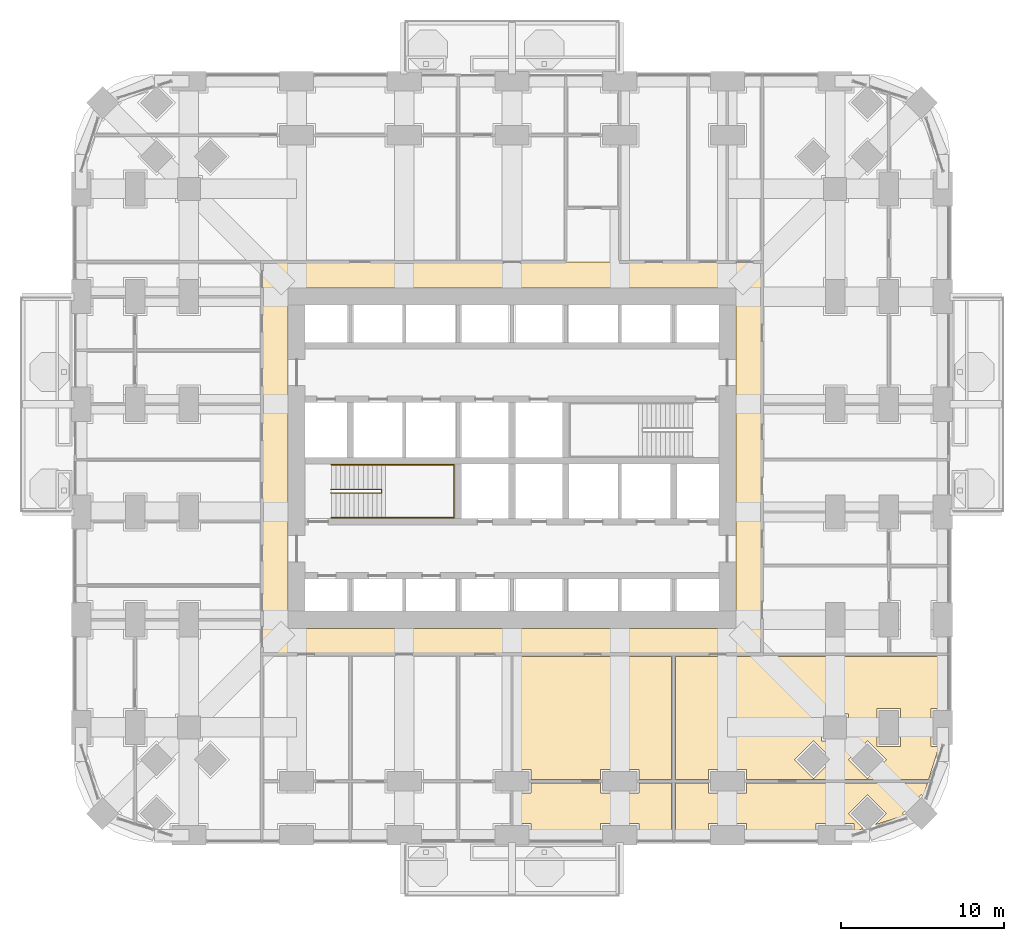
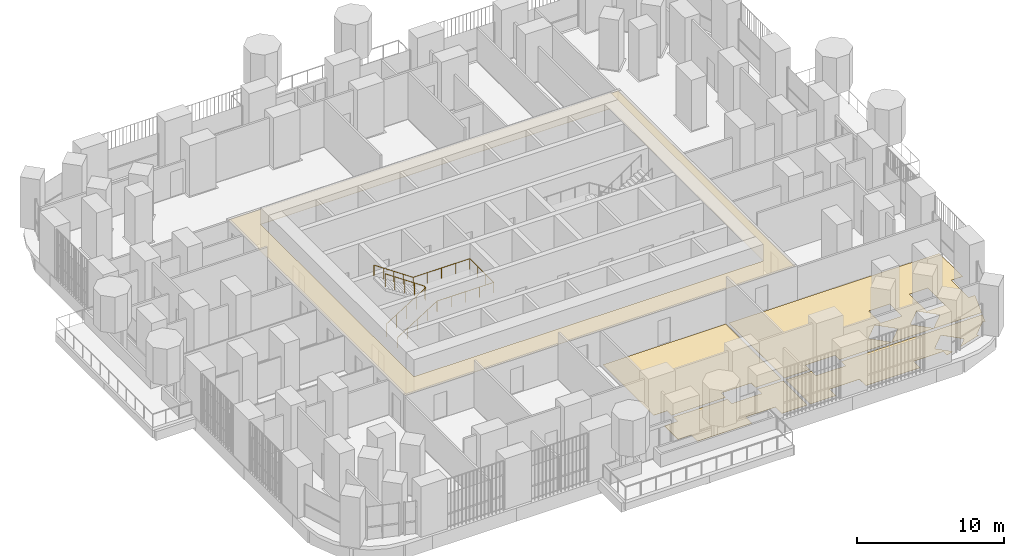
# One storey, part 23 of 26: 5 coverings, 2 railings.
"""IFC4 building model written with IfcOpenShell, lengths in metres."""

from ifc_helpers import new_model, si_unit, direction, frame, origin, place, context, subcontext, project, spatial, polyline, outline, extrude, material, layer, layer_set, type_object, element, save


model = new_model("IFC4")

# Units and contexts
model_context = context("Model", 3, precision=1e-05, world=origin(), true_north=direction((0.0, 1.0)))
body_context = subcontext(model_context, "Body", "Model", "MODEL_VIEW")
ifc_project = project(units=[si_unit("LENGTHUNIT", "METRE"), si_unit("AREAUNIT", "SQUARE_METRE"), si_unit("VOLUMEUNIT", "CUBIC_METRE"), si_unit("PLANEANGLEUNIT", "RADIAN"), si_unit("MASSUNIT", "GRAM", prefix="KILO")], contexts=[model_context])

# Site, building, storey
site_placement = place(None, origin())
site = spatial("IfcSite", under=ifc_project, at=site_placement, CompositionType="ELEMENT")
building_placement = place(site_placement, origin())
building = spatial("IfcBuilding", under=site, at=building_placement, Name="Cobogo Forest Laboratory Tower", CompositionType="ELEMENT")
storey_placement = place(building_placement, frame((0.0, 0.0, 33.89990234375)))
storey = spatial("IfcBuildingStorey", under=building, at=storey_placement, Name="L07", CompositionType="ELEMENT", Elevation=33.89990234375)

# Coverings
ifc_material_1 = material(Name="Mineral fibre ceiling tile", Category="ceiling")
ifc_layer_1 = layer(ifc_material_1, 0.02001953125)
ifc_layer_set_1 = layer_set([ifc_layer_1], Name="CL1 suspended ceiling")
covering_type_1 = type_object("IfcCoveringType", Name="CL1 suspended ceiling", PredefinedType="CEILING", material=ifc_layer_set_1)
covering_1_placement = place(storey_placement, frame((0.0, 0.0, 2.800048828125)))
element("IfcCovering", 1, at=covering_1_placement, inside=storey, type_object=covering_type_1, Name="Corridor ceiling L07", PredefinedType="CEILING", context=body_context, shape_type="SweptSolid", body=[
    extrude(outline(polyline([(11.074951171875, 11.074951171875), (11.074951171875, 35.125), (41.72509765625, 35.125), (41.72509765625, 11.074951171875), (11.074951171875, 11.074951171875)]), holes=[polyline([(40.125, 33.52490234375), (12.675048828125, 33.52490234375), (12.675048828125, 12.675048828125), (40.125, 12.675048828125), (40.125, 33.52490234375)])]), origin(), (0.0, 0.0, 1.0), 0.02001953125),
])
ifc_material_2 = material(Name="Carpet tile on raised access floor", Category="flooring")
ifc_layer_2 = layer(ifc_material_2, 0.008056640625)
ifc_layer_set_2 = layer_set([ifc_layer_2], Name="CT1 carpet tile floor 8")
covering_type_2 = type_object("IfcCoveringType", Name="CT1 carpet tile floor 8", PredefinedType="FLOORING", material=ifc_layer_set_2)
covering_2_placement = place(storey_placement, origin())
element("IfcCovering", 2, at=covering_2_placement, inside=storey, type_object=covering_type_2, Name="Carpet floor L07-08", PredefinedType="FLOORING", context=body_context, shape_type="SweptSolid", body=[
    extrude(outline(polyline([(31.830078125, 3.179931640625), (31.830078125, 2.580078125), (34.169921875, 2.580078125), (34.169921875, 3.179931640625), (36.179931640625, 3.179931640625), (36.179931640625, -0.14990234375), (34.169921875, -0.14990234375), (34.169921875, 0.719970703125), (31.830078125, 0.719970703125), (31.830078125, -0.14990234375), (27.570068359375, -0.14990234375), (27.570068359375, 0.719970703125), (26.52001953125, 0.719970703125), (26.52001953125, 2.580078125), (27.570068359375, 2.580078125), (27.570068359375, 3.179931640625), (31.830078125, 3.179931640625)])), origin(), (0.0, 0.0, 1.0), 0.008056640625),
])
covering_3_placement = place(storey_placement, origin())
element("IfcCovering", 3, at=covering_3_placement, inside=storey, type_object=covering_type_2, Name="Carpet floor L07-10", PredefinedType="FLOORING", context=body_context, shape_type="SweptSolid", body=[
    extrude(outline(polyline([(38.429931640625, 3.179931640625), (38.429931640625, 2.580078125), (40.77001953125, 2.580078125), (40.77001953125, 3.179931640625), (51.8603515625, 3.179931640625), (51.600830078125, 2.358642578125), (51.48193359375, 2.477783203125), (50.322265625, 1.318115234375), (50.441162109375, 1.19921875), (48.660400390625, 0.63671875), (49.341552734375, 1.318115234375), (48.181884765625, 2.477783203125), (47.022216796875, 1.318115234375), (47.933349609375, 0.406982421875), (47.3701171875, 0.229248046875), (47.3701171875, 0.719970703125), (45.030029296875, 0.719970703125), (45.030029296875, -0.14990234375), (40.77001953125, -0.14990234375), (40.77001953125, 0.719970703125), (38.429931640625, 0.719970703125), (38.429931640625, -0.14990234375), (36.419921875, -0.14990234375), (36.419921875, 3.179931640625), (38.429931640625, 3.179931640625)])), origin(), (0.0, 0.0, 1.0), 0.008056640625),
])

# Railings
ifc_material_3 = material(Name="Steel balustrade", Category="steel")
railing_type_1 = type_object("IfcRailingType", Name="GR stair guard 1100", PredefinedType="GUARDRAIL", material=ifc_material_3)
railing_1_placement = place(storey_placement, frame((15.324951171875, 20.969970703125, 0.175048828125)))
element("IfcRailing", 4, at=railing_1_placement, inside=storey, type_object=railing_type_1, Name="Stair guard ST1 L07", PredefinedType="GUARDRAIL", context=body_context, shape_type="SweptSolid", body=[
    extrude(outline(polyline([(0.022216796875, 0.00927734375), (0.00927734375, 0.022216796875), (-0.00927734375, 0.022216796875), (-0.022216796875, 0.00927734375), (-0.022216796875, -0.00927734375), (-0.00927734375, -0.022216796875), (0.00927734375, -0.022216796875), (0.022216796875, -0.00927734375), (0.022216796875, 0.00927734375)])), frame((0.0, 0.0, 1.077880859375), z_axis=(0.847998304005, 0.0, 0.529998940003), x_axis=(0.0, 1.0, 0.0)), (0.0, 0.0, 1.0), 3.632080078125),
    extrude(outline(polyline([(0.022216796875, 0.00927734375), (0.00927734375, 0.022216796875), (-0.00927734375, 0.022216796875), (-0.022216796875, 0.00927734375), (-0.022216796875, -0.00927734375), (-0.00927734375, -0.022216796875), (0.00927734375, -0.022216796875), (0.022216796875, -0.00927734375), (0.022216796875, 0.00927734375)])), frame((3.080078125, 0.0, 3.0029296875), z_axis=(0.0, 1.0, 0.0), x_axis=(-1.0, 0.0, 0.0)), (0.0, 0.0, 1.0), 0.2099609375),
    extrude(outline(polyline([(0.022216796875, 0.00927734375), (0.00927734375, 0.022216796875), (-0.00927734375, 0.022216796875), (-0.022216796875, 0.00927734375), (-0.022216796875, -0.00927734375), (-0.00927734375, -0.022216796875), (0.00927734375, -0.022216796875), (0.022216796875, -0.00927734375), (0.022216796875, 0.00927734375)])), frame((3.080078125, 0.2099609375, 3.0029296875), z_axis=(-0.826221800596, 0.0, 0.563344953133), x_axis=(0.0, -1.0, 0.0)), (0.0, 0.0, 1.0), 3.72802734375),
    extrude(outline(polyline([(0.019287109375, 0.008056640625), (0.008056640625, 0.019287109375), (-0.008056640625, 0.019287109375), (-0.019287109375, 0.008056640625), (-0.019287109375, -0.008056640625), (-0.008056640625, -0.019287109375), (0.008056640625, -0.019287109375), (0.019287109375, -0.008056640625), (0.019287109375, 0.008056640625)])), origin(), (0.0, 0.0, 1.0), 1.077880859375),
    extrude(outline(polyline([(0.019287109375, 0.008056640625), (0.008056640625, 0.019287109375), (-0.008056640625, 0.019287109375), (-0.019287109375, 0.008056640625), (-0.019287109375, -0.008056640625), (-0.008056640625, -0.019287109375), (0.008056640625, -0.019287109375), (0.019287109375, -0.008056640625), (0.019287109375, 0.008056640625)])), frame((0.77001953125, 0.0, 0.481201171875)), (0.0, 0.0, 1.0), 1.077880859375),
    extrude(outline(polyline([(0.019287109375, 0.008056640625), (0.008056640625, 0.019287109375), (-0.008056640625, 0.019287109375), (-0.019287109375, 0.008056640625), (-0.019287109375, -0.008056640625), (-0.008056640625, -0.019287109375), (0.008056640625, -0.019287109375), (0.019287109375, -0.008056640625), (0.019287109375, 0.008056640625)])), frame((1.5400390625, 0.0, 0.96240234375)), (0.0, 0.0, 1.0), 1.077880859375),
    extrude(outline(polyline([(0.019287109375, 0.008056640625), (0.008056640625, 0.019287109375), (-0.008056640625, 0.019287109375), (-0.019287109375, 0.008056640625), (-0.019287109375, -0.008056640625), (-0.008056640625, -0.019287109375), (0.008056640625, -0.019287109375), (0.019287109375, -0.008056640625), (0.019287109375, 0.008056640625)])), frame((2.31005859375, 0.0, 1.44384765625)), (0.0, 0.0, 1.0), 1.077880859375),
    extrude(outline(polyline([(0.019287109375, 0.008056640625), (0.008056640625, 0.019287109375), (-0.008056640625, 0.019287109375), (-0.019287109375, 0.008056640625), (-0.019287109375, -0.008056640625), (-0.008056640625, -0.019287109375), (0.008056640625, -0.019287109375), (0.019287109375, -0.008056640625), (0.019287109375, 0.008056640625)])), frame((3.080078125, 0.0, 1.925048828125)), (0.0, 0.0, 1.0), 1.077880859375),
    extrude(outline(polyline([(0.019287109375, 0.008056640625), (0.008056640625, 0.019287109375), (-0.008056640625, 0.019287109375), (-0.019287109375, 0.008056640625), (-0.019287109375, -0.008056640625), (-0.008056640625, -0.019287109375), (0.008056640625, -0.019287109375), (0.019287109375, -0.008056640625), (0.019287109375, 0.008056640625)])), frame((3.080078125, 0.2099609375, 1.925048828125)), (0.0, 0.0, 1.0), 1.077880859375),
    extrude(outline(polyline([(0.019287109375, 0.008056640625), (0.008056640625, 0.019287109375), (-0.008056640625, 0.019287109375), (-0.019287109375, 0.008056640625), (-0.019287109375, -0.008056640625), (-0.008056640625, -0.019287109375), (0.008056640625, -0.019287109375), (0.019287109375, -0.008056640625), (0.019287109375, 0.008056640625)])), frame((2.31005859375, 0.2099609375, 2.4501953125)), (0.0, 0.0, 1.0), 1.077880859375),
    extrude(outline(polyline([(0.019287109375, 0.008056640625), (0.008056640625, 0.019287109375), (-0.008056640625, 0.019287109375), (-0.019287109375, 0.008056640625), (-0.019287109375, -0.008056640625), (-0.008056640625, -0.019287109375), (0.008056640625, -0.019287109375), (0.019287109375, -0.008056640625), (0.019287109375, 0.008056640625)])), frame((1.5400390625, 0.2099609375, 2.97509765625)), (0.0, 0.0, 1.0), 1.077880859375),
    extrude(outline(polyline([(0.019287109375, 0.008056640625), (0.008056640625, 0.019287109375), (-0.008056640625, 0.019287109375), (-0.019287109375, 0.008056640625), (-0.019287109375, -0.008056640625), (-0.008056640625, -0.019287109375), (0.008056640625, -0.019287109375), (0.019287109375, -0.008056640625), (0.019287109375, 0.008056640625)])), frame((0.77001953125, 0.2099609375, 3.5)), (0.0, 0.0, 1.0), 1.077880859375),
    extrude(outline(polyline([(0.019287109375, 0.008056640625), (0.008056640625, 0.019287109375), (-0.008056640625, 0.019287109375), (-0.019287109375, 0.008056640625), (-0.019287109375, -0.008056640625), (-0.008056640625, -0.019287109375), (0.008056640625, -0.019287109375), (0.019287109375, -0.008056640625), (0.019287109375, 0.008056640625)])), frame((0.0, 0.2099609375, 4.025146484375)), (0.0, 0.0, 1.0), 1.077880859375),
])
ifc_material_4 = material(Name="Stainless steel handrail", Category="steel")
railing_type_2 = type_object("IfcRailingType", Name="HR handrail 900", PredefinedType="HANDRAIL", material=ifc_material_4)
railing_2_placement = place(storey_placement, frame((15.324951171875, 19.449951171875, 0.175048828125)))
element("IfcRailing", 5, at=railing_2_placement, inside=storey, type_object=railing_type_2, Name="Stair handrail ST1 L07", PredefinedType="HANDRAIL", context=body_context, shape_type="SweptSolid", body=[
    extrude(outline(polyline([(0.022216796875, 0.00927734375), (0.00927734375, 0.022216796875), (-0.00927734375, 0.022216796875), (-0.022216796875, 0.00927734375), (-0.022216796875, -0.00927734375), (-0.00927734375, -0.022216796875), (0.00927734375, -0.022216796875), (0.022216796875, -0.00927734375), (0.022216796875, 0.00927734375)])), frame((0.0, 0.0, 0.877685546875), z_axis=(0.847998304005, 0.0, 0.529998940003), x_axis=(0.0, 1.0, 0.0)), (0.0, 0.0, 1.0), 3.632080078125),
    extrude(outline(polyline([(0.022216796875, 0.00927734375), (0.00927734375, 0.022216796875), (-0.00927734375, 0.022216796875), (-0.022216796875, 0.00927734375), (-0.022216796875, -0.00927734375), (-0.00927734375, -0.022216796875), (0.00927734375, -0.022216796875), (0.022216796875, -0.00927734375), (0.022216796875, 0.00927734375)])), frame((3.080078125, 0.0, 2.802734375), z_axis=(1.0, 0.0, 0.0), x_axis=(0.0, 1.0, 0.0)), (0.0, 0.0, 1.0), 4.445068359375),
    extrude(outline(polyline([(0.022216796875, 0.00927734375), (0.00927734375, 0.022216796875), (-0.00927734375, 0.022216796875), (-0.022216796875, 0.00927734375), (-0.022216796875, -0.00927734375), (-0.00927734375, -0.022216796875), (0.00927734375, -0.022216796875), (0.022216796875, -0.00927734375), (0.022216796875, 0.00927734375)])), frame((7.525146484375, 0.0, 2.802734375), z_axis=(0.0, 1.0, 0.0), x_axis=(-1.0, 0.0, 0.0)), (0.0, 0.0, 1.0), 3.25),
    extrude(outline(polyline([(0.022216796875, 0.00927734375), (0.00927734375, 0.022216796875), (-0.00927734375, 0.022216796875), (-0.022216796875, 0.00927734375), (-0.022216796875, -0.00927734375), (-0.00927734375, -0.022216796875), (0.00927734375, -0.022216796875), (0.022216796875, -0.00927734375), (0.022216796875, 0.00927734375)])), frame((7.525146484375, 3.25, 2.802734375), z_axis=(-1.0, 0.0, 0.0), x_axis=(0.0, -1.0, 0.0)), (0.0, 0.0, 1.0), 4.445068359375),
    extrude(outline(polyline([(0.022216796875, 0.00927734375), (0.00927734375, 0.022216796875), (-0.00927734375, 0.022216796875), (-0.022216796875, 0.00927734375), (-0.022216796875, -0.00927734375), (-0.00927734375, -0.022216796875), (0.00927734375, -0.022216796875), (0.022216796875, -0.00927734375), (0.022216796875, 0.00927734375)])), frame((3.080078125, 3.25, 2.802734375), z_axis=(-0.826221800596, 0.0, 0.563344953133), x_axis=(0.0, -1.0, 0.0)), (0.0, 0.0, 1.0), 3.72802734375),
    extrude(outline(polyline([(0.019287109375, 0.008056640625), (0.008056640625, 0.019287109375), (-0.008056640625, 0.019287109375), (-0.019287109375, 0.008056640625), (-0.019287109375, -0.008056640625), (-0.008056640625, -0.019287109375), (0.008056640625, -0.019287109375), (0.019287109375, -0.008056640625), (0.019287109375, 0.008056640625)])), origin(), (0.0, 0.0, 1.0), 0.877685546875),
    extrude(outline(polyline([(0.019287109375, 0.008056640625), (0.008056640625, 0.019287109375), (-0.008056640625, 0.019287109375), (-0.019287109375, 0.008056640625), (-0.019287109375, -0.008056640625), (-0.008056640625, -0.019287109375), (0.008056640625, -0.019287109375), (0.019287109375, -0.008056640625), (0.019287109375, 0.008056640625)])), frame((0.77001953125, 0.0, 0.481201171875)), (0.0, 0.0, 1.0), 0.877685546875),
    extrude(outline(polyline([(0.019287109375, 0.008056640625), (0.008056640625, 0.019287109375), (-0.008056640625, 0.019287109375), (-0.019287109375, 0.008056640625), (-0.019287109375, -0.008056640625), (-0.008056640625, -0.019287109375), (0.008056640625, -0.019287109375), (0.019287109375, -0.008056640625), (0.019287109375, 0.008056640625)])), frame((1.5400390625, 0.0, 0.96240234375)), (0.0, 0.0, 1.0), 0.877685546875),
    extrude(outline(polyline([(0.019287109375, 0.008056640625), (0.008056640625, 0.019287109375), (-0.008056640625, 0.019287109375), (-0.019287109375, 0.008056640625), (-0.019287109375, -0.008056640625), (-0.008056640625, -0.019287109375), (0.008056640625, -0.019287109375), (0.019287109375, -0.008056640625), (0.019287109375, 0.008056640625)])), frame((2.31005859375, 0.0, 1.44384765625)), (0.0, 0.0, 1.0), 0.877685546875),
    extrude(outline(polyline([(0.019287109375, 0.008056640625), (0.008056640625, 0.019287109375), (-0.008056640625, 0.019287109375), (-0.019287109375, 0.008056640625), (-0.019287109375, -0.008056640625), (-0.008056640625, -0.019287109375), (0.008056640625, -0.019287109375), (0.019287109375, -0.008056640625), (0.019287109375, 0.008056640625)])), frame((3.080078125, 0.0, 1.925048828125)), (0.0, 0.0, 1.0), 0.877685546875),
    extrude(outline(polyline([(0.019287109375, 0.008056640625), (0.008056640625, 0.019287109375), (-0.008056640625, 0.019287109375), (-0.019287109375, 0.008056640625), (-0.019287109375, -0.008056640625), (-0.008056640625, -0.019287109375), (0.008056640625, -0.019287109375), (0.019287109375, -0.008056640625), (0.019287109375, 0.008056640625)])), frame((4.19140625, 0.0, 1.925048828125)), (0.0, 0.0, 1.0), 0.877685546875),
    extrude(outline(polyline([(0.019287109375, 0.008056640625), (0.008056640625, 0.019287109375), (-0.008056640625, 0.019287109375), (-0.019287109375, 0.008056640625), (-0.019287109375, -0.008056640625), (-0.008056640625, -0.019287109375), (0.008056640625, -0.019287109375), (0.019287109375, -0.008056640625), (0.019287109375, 0.008056640625)])), frame((5.302734375, 0.0, 1.925048828125)), (0.0, 0.0, 1.0), 0.877685546875),
    extrude(outline(polyline([(0.019287109375, 0.008056640625), (0.008056640625, 0.019287109375), (-0.008056640625, 0.019287109375), (-0.019287109375, 0.008056640625), (-0.019287109375, -0.008056640625), (-0.008056640625, -0.019287109375), (0.008056640625, -0.019287109375), (0.019287109375, -0.008056640625), (0.019287109375, 0.008056640625)])), frame((6.413818359375, 0.0, 1.925048828125)), (0.0, 0.0, 1.0), 0.877685546875),
    extrude(outline(polyline([(0.019287109375, 0.008056640625), (0.008056640625, 0.019287109375), (-0.008056640625, 0.019287109375), (-0.019287109375, 0.008056640625), (-0.019287109375, -0.008056640625), (-0.008056640625, -0.019287109375), (0.008056640625, -0.019287109375), (0.019287109375, -0.008056640625), (0.019287109375, 0.008056640625)])), frame((7.525146484375, 0.0, 1.925048828125)), (0.0, 0.0, 1.0), 0.877685546875),
    extrude(outline(polyline([(0.019287109375, 0.008056640625), (0.008056640625, 0.019287109375), (-0.008056640625, 0.019287109375), (-0.019287109375, 0.008056640625), (-0.019287109375, -0.008056640625), (-0.008056640625, -0.019287109375), (0.008056640625, -0.019287109375), (0.019287109375, -0.008056640625), (0.019287109375, 0.008056640625)])), frame((7.525146484375, 1.083251953125, 1.925048828125)), (0.0, 0.0, 1.0), 0.877685546875),
    extrude(outline(polyline([(0.019287109375, 0.008056640625), (0.008056640625, 0.019287109375), (-0.008056640625, 0.019287109375), (-0.019287109375, 0.008056640625), (-0.019287109375, -0.008056640625), (-0.008056640625, -0.019287109375), (0.008056640625, -0.019287109375), (0.019287109375, -0.008056640625), (0.019287109375, 0.008056640625)])), frame((7.525146484375, 2.166748046875, 1.925048828125)), (0.0, 0.0, 1.0), 0.877685546875),
    extrude(outline(polyline([(0.019287109375, 0.008056640625), (0.008056640625, 0.019287109375), (-0.008056640625, 0.019287109375), (-0.019287109375, 0.008056640625), (-0.019287109375, -0.008056640625), (-0.008056640625, -0.019287109375), (0.008056640625, -0.019287109375), (0.019287109375, -0.008056640625), (0.019287109375, 0.008056640625)])), frame((7.525146484375, 3.25, 1.925048828125)), (0.0, 0.0, 1.0), 0.877685546875),
    extrude(outline(polyline([(0.019287109375, 0.008056640625), (0.008056640625, 0.019287109375), (-0.008056640625, 0.019287109375), (-0.019287109375, 0.008056640625), (-0.019287109375, -0.008056640625), (-0.008056640625, -0.019287109375), (0.008056640625, -0.019287109375), (0.019287109375, -0.008056640625), (0.019287109375, 0.008056640625)])), frame((6.413818359375, 3.25, 1.925048828125)), (0.0, 0.0, 1.0), 0.877685546875),
    extrude(outline(polyline([(0.019287109375, 0.008056640625), (0.008056640625, 0.019287109375), (-0.008056640625, 0.019287109375), (-0.019287109375, 0.008056640625), (-0.019287109375, -0.008056640625), (-0.008056640625, -0.019287109375), (0.008056640625, -0.019287109375), (0.019287109375, -0.008056640625), (0.019287109375, 0.008056640625)])), frame((5.302734375, 3.25, 1.925048828125)), (0.0, 0.0, 1.0), 0.877685546875),
    extrude(outline(polyline([(0.019287109375, 0.008056640625), (0.008056640625, 0.019287109375), (-0.008056640625, 0.019287109375), (-0.019287109375, 0.008056640625), (-0.019287109375, -0.008056640625), (-0.008056640625, -0.019287109375), (0.008056640625, -0.019287109375), (0.019287109375, -0.008056640625), (0.019287109375, 0.008056640625)])), frame((4.19140625, 3.25, 1.925048828125)), (0.0, 0.0, 1.0), 0.877685546875),
    extrude(outline(polyline([(0.019287109375, 0.008056640625), (0.008056640625, 0.019287109375), (-0.008056640625, 0.019287109375), (-0.019287109375, 0.008056640625), (-0.019287109375, -0.008056640625), (-0.008056640625, -0.019287109375), (0.008056640625, -0.019287109375), (0.019287109375, -0.008056640625), (0.019287109375, 0.008056640625)])), frame((3.080078125, 3.25, 1.925048828125)), (0.0, 0.0, 1.0), 0.877685546875),
    extrude(outline(polyline([(0.019287109375, 0.008056640625), (0.008056640625, 0.019287109375), (-0.008056640625, 0.019287109375), (-0.019287109375, 0.008056640625), (-0.019287109375, -0.008056640625), (-0.008056640625, -0.019287109375), (0.008056640625, -0.019287109375), (0.019287109375, -0.008056640625), (0.019287109375, 0.008056640625)])), frame((2.31005859375, 3.25, 2.4501953125)), (0.0, 0.0, 1.0), 0.877685546875),
    extrude(outline(polyline([(0.019287109375, 0.008056640625), (0.008056640625, 0.019287109375), (-0.008056640625, 0.019287109375), (-0.019287109375, 0.008056640625), (-0.019287109375, -0.008056640625), (-0.008056640625, -0.019287109375), (0.008056640625, -0.019287109375), (0.019287109375, -0.008056640625), (0.019287109375, 0.008056640625)])), frame((1.5400390625, 3.25, 2.97509765625)), (0.0, 0.0, 1.0), 0.877685546875),
    extrude(outline(polyline([(0.019287109375, 0.008056640625), (0.008056640625, 0.019287109375), (-0.008056640625, 0.019287109375), (-0.019287109375, 0.008056640625), (-0.019287109375, -0.008056640625), (-0.008056640625, -0.019287109375), (0.008056640625, -0.019287109375), (0.019287109375, -0.008056640625), (0.019287109375, 0.008056640625)])), frame((0.77001953125, 3.25, 3.5)), (0.0, 0.0, 1.0), 0.877685546875),
    extrude(outline(polyline([(0.019287109375, 0.008056640625), (0.008056640625, 0.019287109375), (-0.008056640625, 0.019287109375), (-0.019287109375, 0.008056640625), (-0.019287109375, -0.008056640625), (-0.008056640625, -0.019287109375), (0.008056640625, -0.019287109375), (0.019287109375, -0.008056640625), (0.019287109375, 0.008056640625)])), frame((0.0, 3.25, 4.025146484375)), (0.0, 0.0, 1.0), 0.877685546875),
])

# Coverings
ifc_material_5 = material(Name="Epoxy resin flooring", Category="flooring")
ifc_layer_3 = layer(ifc_material_5, 0.00390625)
ifc_layer_set_3 = layer_set([ifc_layer_3], Name="LF1 epoxy laboratory floor 4")
covering_type_3 = type_object("IfcCoveringType", Name="LF1 epoxy laboratory floor 4", PredefinedType="FLOORING", material=ifc_layer_set_3)
covering_4_placement = place(storey_placement, origin())
element("IfcCovering", 6, at=covering_4_placement, inside=storey, type_object=covering_type_3, Name="Epoxy laboratory floor L07-07", PredefinedType="FLOORING", context=body_context, shape_type="SweptSolid", body=[
    extrude(outline(polyline([(26.52001953125, 10.955078125), (36.179931640625, 10.955078125), (36.179931640625, 3.419921875), (34.169921875, 3.419921875), (34.169921875, 4.02001953125), (31.830078125, 4.02001953125), (31.830078125, 3.419921875), (27.570068359375, 3.419921875), (27.570068359375, 4.02001953125), (26.52001953125, 4.02001953125), (26.52001953125, 10.955078125)])), origin(), (0.0, 0.0, 1.0), 0.004150390625),
])
covering_5_placement = place(storey_placement, origin())
element("IfcCovering", 7, at=covering_5_placement, inside=storey, type_object=covering_type_3, Name="Epoxy laboratory floor L07-09", PredefinedType="FLOORING", context=body_context, shape_type="SweptSolid", body=[
    extrude(outline(polyline([(36.419921875, 10.955078125), (52.949951171875, 10.955078125), (52.949951171875, 7.77001953125), (52.080078125, 7.77001953125), (52.080078125, 5.429931640625), (52.57080078125, 5.429931640625), (51.93603515625, 3.419921875), (40.77001953125, 3.419921875), (40.77001953125, 4.02001953125), (38.429931640625, 4.02001953125), (38.429931640625, 3.419921875), (36.419921875, 3.419921875), (36.419921875, 10.955078125)]), holes=[polyline([(48.780029296875, 5.429931640625), (50.219970703125, 5.429931640625), (50.219970703125, 7.77001953125), (48.780029296875, 7.77001953125), (48.780029296875, 5.429931640625)]), polyline([(48.181884765625, 5.777587890625), (47.022216796875, 4.617919921875), (48.181884765625, 3.458251953125), (49.341552734375, 4.617919921875), (48.181884765625, 5.777587890625)]), polyline([(45.3798828125, 7.419921875), (45.3798828125, 5.780029296875), (47.02001953125, 5.780029296875), (47.02001953125, 7.419921875), (45.3798828125, 7.419921875)]), polyline([(44.882080078125, 5.777587890625), (43.722412109375, 4.617919921875), (44.882080078125, 3.458251953125), (46.041748046875, 4.617919921875), (44.882080078125, 5.777587890625)])]), origin(), (0.0, 0.0, 1.0), 0.004150390625),
])

save(model, "model.ifc")
